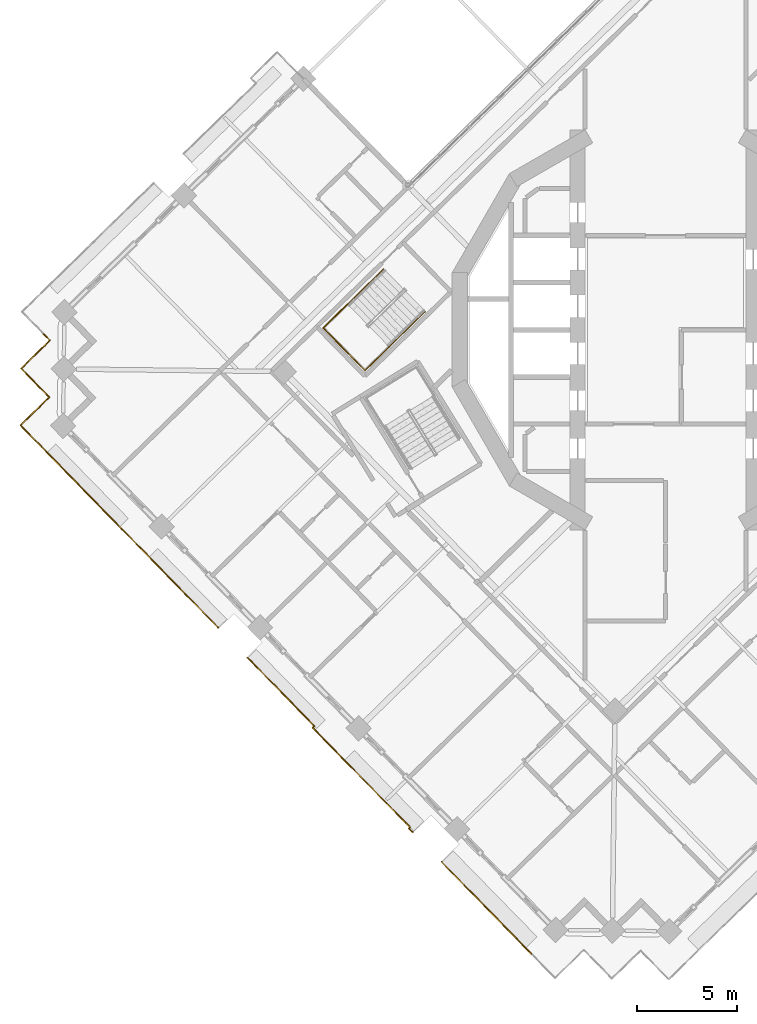
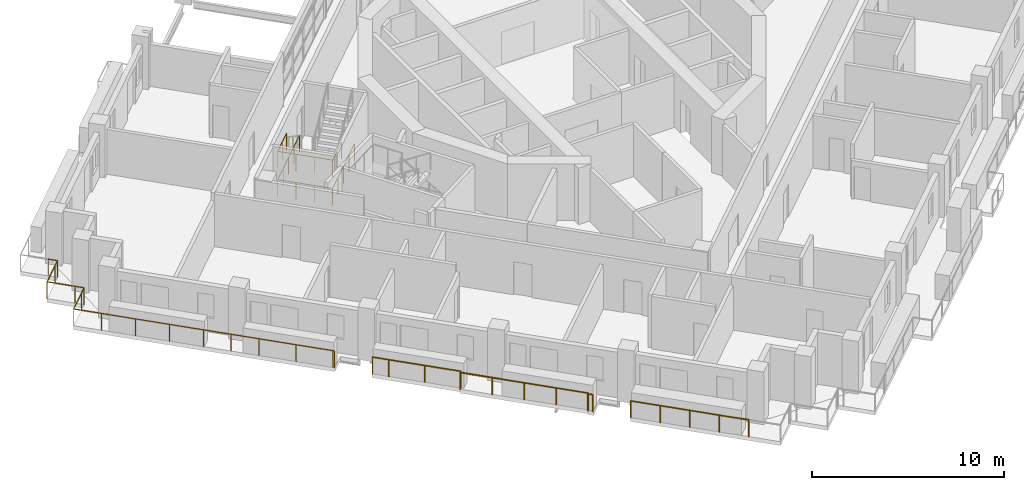
# One storey, part 13 of 18: 5 railings.
"""IFC4 building model written with IfcOpenShell, lengths in metres."""

from ifc_helpers import new_model, si_unit, direction, frame, origin, origin_2d, place, context, subcontext, project, spatial, circle, extrude, material, type_object, element, save


model = new_model("IFC4")

# Units and contexts
model_context = context("Model", 3, precision=1e-05, world=origin(), true_north=direction((0.0, 1.0)))
body_context = subcontext(model_context, "Body", "Model", "MODEL_VIEW")
ifc_project = project(units=[si_unit("LENGTHUNIT", "METRE"), si_unit("AREAUNIT", "SQUARE_METRE"), si_unit("VOLUMEUNIT", "CUBIC_METRE"), si_unit("PLANEANGLEUNIT", "RADIAN"), si_unit("MASSUNIT", "GRAM", prefix="KILO")], contexts=[model_context])

# Site, building, storey
site_placement = place(None, origin())
site = spatial("IfcSite", under=ifc_project, at=site_placement, CompositionType="ELEMENT")
building_placement = place(site_placement, origin())
building = spatial("IfcBuilding", under=site, at=building_placement, Name="Cantera Rosa Tower", CompositionType="ELEMENT")
storey_placement = place(building_placement, frame((0.0, 0.0, 219.800048828125)))
storey = spatial("IfcBuildingStorey", under=building, at=storey_placement, Name="L47", CompositionType="ELEMENT", Elevation=219.800048828125)

# Railings
ifc_material_1 = material(Name="Stainless steel and laminated glass", Category="steel")
railing_type_1 = type_object("IfcRailingType", Name="GUARD 1100", PredefinedType="BALUSTRADE", material=ifc_material_1)
railing_1_placement = place(storey_placement, frame((-6.690673828125, -31.072265625, 0.0)))
element("IfcRailing", 1, at=railing_1_placement, inside=storey, type_object=railing_type_1, Name="GUARD L47-1", PredefinedType="BALUSTRADE", context=body_context, shape_type="SweptSolid", body=[
    extrude(circle(Radius=0.030029296875, at=origin_2d()), frame((0.0, 0.0, 1.070068359375), z_axis=(-0.698825008445, 0.715292672668, 0.0), x_axis=(-0.715292672668, -0.698825008445, 0.0)), (0.0, 0.0, 1.0), 6.389892578125),
    extrude(circle(Radius=0.02490234375, at=origin_2d()), origin(), (0.0, 0.0, 1.0), 1.0400390625),
    extrude(circle(Radius=0.02490234375, at=origin_2d()), frame((-1.1162109375, 1.142578125, 0.0)), (0.0, 0.0, 1.0), 1.0400390625),
    extrude(circle(Radius=0.02490234375, at=origin_2d()), frame((-2.232666015625, 2.28515625, 0.0)), (0.0, 0.0, 1.0), 1.0400390625),
    extrude(circle(Radius=0.02490234375, at=origin_2d()), frame((-3.34912109375, 3.427978515625, 0.0)), (0.0, 0.0, 1.0), 1.0400390625),
    extrude(circle(Radius=0.02490234375, at=origin_2d()), frame((-4.46533203125, 4.570556640625, 0.0)), (0.0, 0.0, 1.0), 1.0400390625),
])
railing_2_placement = place(storey_placement, frame((-12.595703125, -25.028076171875, 0.0)))
element("IfcRailing", 2, at=railing_2_placement, inside=storey, type_object=railing_type_1, Name="GUARD L47-3", PredefinedType="BALUSTRADE", context=body_context, shape_type="SweptSolid", body=[
    extrude(circle(Radius=0.030029296875, at=origin_2d()), frame((0.0, 0.0, 1.070068359375), z_axis=(-0.698922436913, 0.715197474254, 0.0), x_axis=(-0.715197474254, -0.698922436913, 0.0)), (0.0, 0.0, 1.0), 0.27001953125),
    extrude(circle(Radius=0.030029296875, at=origin_2d()), frame((-0.188720703125, 0.193115234375, 1.070068359375), z_axis=(0.715817567127, 0.698287340994, 0.0), x_axis=(-0.698287340994, 0.715817567127, 0.0)), (0.0, 0.0, 1.0), 0.08349609375),
    extrude(circle(Radius=0.030029296875, at=origin_2d()), frame((-0.12890625, 0.25146484375, 1.070068359375), z_axis=(-0.698822463092, 0.715295159412, 0.0), x_axis=(-0.715295159412, -0.698822463092, 0.0)), (0.0, 0.0, 1.0), 6.936279296875),
    extrude(circle(Radius=0.030029296875, at=origin_2d()), frame((-4.97607421875, 5.212890625, 1.070068359375), z_axis=(0.715449344279, 0.698664608929, 0.0), x_axis=(-0.698664608929, 0.715449344279, 0.0)), (0.0, 0.0, 1.0), 0.116455078125),
    extrude(circle(Radius=0.030029296875, at=origin_2d()), frame((-4.892822265625, 5.294189453125, 1.070068359375), z_axis=(-0.698866787925, 0.715251852662, 0.0), x_axis=(-0.715251852662, -0.698866787925, 0.0)), (0.0, 0.0, 1.0), 3.90380859375),
    extrude(circle(Radius=0.030029296875, at=origin_2d()), frame((-7.62109375, 8.08642578125, 1.070068359375), z_axis=(-0.698779602308, 0.715337030636, 0.0), x_axis=(-0.715337030636, -0.698779602308, 0.0)), (0.0, 0.0, 1.0), 0.869873046875),
    extrude(circle(Radius=0.02490234375, at=origin_2d()), origin(), (0.0, 0.0, 1.0), 1.0400390625),
    extrude(circle(Radius=0.02490234375, at=origin_2d()), frame((-0.188720703125, 0.193115234375, 0.0)), (0.0, 0.0, 1.0), 1.0400390625),
    extrude(circle(Radius=0.02490234375, at=origin_2d()), frame((-0.12890625, 0.25146484375, 0.0)), (0.0, 0.0, 1.0), 1.0400390625),
    extrude(circle(Radius=0.02490234375, at=origin_2d()), frame((-1.3408203125, 1.49169921875, 0.0)), (0.0, 0.0, 1.0), 1.0400390625),
    extrude(circle(Radius=0.02490234375, at=origin_2d()), frame((-2.552490234375, 2.732177734375, 0.0)), (0.0, 0.0, 1.0), 1.0400390625),
    extrude(circle(Radius=0.02490234375, at=origin_2d()), frame((-3.76416015625, 3.97265625, 0.0)), (0.0, 0.0, 1.0), 1.0400390625),
    extrude(circle(Radius=0.02490234375, at=origin_2d()), frame((-4.97607421875, 5.212890625, 0.0)), (0.0, 0.0, 1.0), 1.0400390625),
    extrude(circle(Radius=0.02490234375, at=origin_2d()), frame((-4.892822265625, 5.294189453125, 0.0)), (0.0, 0.0, 1.0), 1.0400390625),
    extrude(circle(Radius=0.02490234375, at=origin_2d()), frame((-6.2568359375, 6.6904296875, 0.0)), (0.0, 0.0, 1.0), 1.0400390625),
    extrude(circle(Radius=0.02490234375, at=origin_2d()), frame((-7.62109375, 8.08642578125, 0.0)), (0.0, 0.0, 1.0), 1.0400390625),
    extrude(circle(Radius=0.02490234375, at=origin_2d()), frame((-8.22900390625, 8.708740234375, 0.0)), (0.0, 0.0, 1.0), 1.0400390625),
])
railing_3_placement = place(storey_placement, frame((-22.26416015625, -14.845703125, 0.0)))
element("IfcRailing", 3, at=railing_3_placement, inside=storey, type_object=railing_type_1, Name="GUARD L47-5", PredefinedType="BALUSTRADE", context=body_context, shape_type="SweptSolid", body=[
    extrude(circle(Radius=0.030029296875, at=origin_2d()), frame((0.0, 0.0, 1.070068359375), z_axis=(-0.700106234421, 0.714038696798, 0.0), x_axis=(-0.714038696798, -0.700106234421, 0.0)), (0.0, 0.0, 1.0), 0.070068359375),
    extrude(circle(Radius=0.030029296875, at=origin_2d()), frame((-0.049072265625, 0.050048828125, 1.070068359375), z_axis=(-0.698829866575, 0.715287926351, 0.0), x_axis=(-0.715287926351, -0.698829866575, 0.0)), (0.0, 0.0, 1.0), 4.02001953125),
    extrude(circle(Radius=0.030029296875, at=origin_2d()), frame((-2.8583984375, 2.925537109375, 1.070068359375), z_axis=(-0.698839281014, 0.715278728407, 0.0), x_axis=(-0.715278728407, -0.698839281014, 0.0)), (0.0, 0.0, 1.0), 3.0),
    extrude(circle(Radius=0.030029296875, at=origin_2d()), frame((-4.954833984375, 5.0712890625, 1.070068359375), z_axis=(-0.698810055914, 0.715307280652, 0.0), x_axis=(-0.715307280652, -0.698810055914, 0.0)), (0.0, 0.0, 1.0), 5.52001953125),
    extrude(circle(Radius=0.030029296875, at=origin_2d()), frame((-8.812255859375, 9.019775390625, 1.070068359375), z_axis=(-0.698921594874, 0.71519829713, 0.0), x_axis=(-0.71519829713, -0.698921594874, 0.0)), (0.0, 0.0, 1.0), 1.5),
    extrude(circle(Radius=0.030029296875, at=origin_2d()), frame((-9.860595703125, 10.092529296875, 1.070068359375), z_axis=(0.715277793538, 0.698840237873, 0.0), x_axis=(-0.698840237873, 0.715277793538, 0.0)), (0.0, 0.0, 1.0), 1.5),
    extrude(circle(Radius=0.030029296875, at=origin_2d()), frame((-8.78759765625, 11.140869140625, 1.070068359375), z_axis=(0.715359149995, 0.698756958118, 0.0), x_axis=(-0.698756958118, 0.715359149995, 0.0)), (0.0, 0.0, 1.0), 0.5),
    extrude(circle(Radius=0.030029296875, at=origin_2d()), frame((-8.429931640625, 11.490234375, 1.070068359375), z_axis=(-0.699006712162, 0.715115107065, 0.0), x_axis=(-0.715115107065, -0.699006712162, 0.0)), (0.0, 0.0, 1.0), 0.500244140625),
    extrude(circle(Radius=0.030029296875, at=origin_2d()), frame((-8.779541015625, 11.847900390625, 1.070068359375), z_axis=(-0.698756958118, 0.715359149995, 0.0), x_axis=(-0.715359149995, -0.698756958118, 0.0)), (0.0, 0.0, 1.0), 1.5),
    extrude(circle(Radius=0.030029296875, at=origin_2d()), frame((-9.82763671875, 12.9208984375, 1.070068359375), z_axis=(0.71519829713, 0.698921594874, 0.0), x_axis=(-0.698921594874, 0.71519829713, 0.0)), (0.0, 0.0, 1.0), 1.5),
    extrude(circle(Radius=0.030029296875, at=origin_2d()), frame((-8.7548828125, 13.96923828125, 1.070068359375), z_axis=(0.715359149995, 0.698756958118, 0.0), x_axis=(-0.698756958118, 0.715359149995, 0.0)), (0.0, 0.0, 1.0), 0.5),
    extrude(circle(Radius=0.030029296875, at=origin_2d()), frame((-8.397216796875, 14.318603515625, 1.070068359375), z_axis=(-0.698756958118, 0.715359149995, 0.0), x_axis=(-0.715359149995, -0.698756958118, 0.0)), (0.0, 0.0, 1.0), 0.5),
    extrude(circle(Radius=0.02490234375, at=origin_2d()), origin(), (0.0, 0.0, 1.0), 1.0400390625),
    extrude(circle(Radius=0.02490234375, at=origin_2d()), frame((-0.049072265625, 0.050048828125, 0.0)), (0.0, 0.0, 1.0), 1.0400390625),
    extrude(circle(Radius=0.02490234375, at=origin_2d()), frame((-1.45361328125, 1.48779296875, 0.0)), (0.0, 0.0, 1.0), 1.0400390625),
    extrude(circle(Radius=0.02490234375, at=origin_2d()), frame((-2.8583984375, 2.925537109375, 0.0)), (0.0, 0.0, 1.0), 1.0400390625),
    extrude(circle(Radius=0.02490234375, at=origin_2d()), frame((-3.90673828125, 3.99853515625, 0.0)), (0.0, 0.0, 1.0), 1.0400390625),
    extrude(circle(Radius=0.02490234375, at=origin_2d()), frame((-4.954833984375, 5.0712890625, 0.0)), (0.0, 0.0, 1.0), 1.0400390625),
    extrude(circle(Radius=0.02490234375, at=origin_2d()), frame((-6.24072265625, 6.387451171875, 0.0)), (0.0, 0.0, 1.0), 1.0400390625),
    extrude(circle(Radius=0.02490234375, at=origin_2d()), frame((-7.5263671875, 7.70361328125, 0.0)), (0.0, 0.0, 1.0), 1.0400390625),
    extrude(circle(Radius=0.02490234375, at=origin_2d()), frame((-8.812255859375, 9.019775390625, 0.0)), (0.0, 0.0, 1.0), 1.0400390625),
    extrude(circle(Radius=0.02490234375, at=origin_2d()), frame((-9.860595703125, 10.092529296875, 0.0)), (0.0, 0.0, 1.0), 1.0400390625),
    extrude(circle(Radius=0.02490234375, at=origin_2d()), frame((-8.78759765625, 11.140869140625, 0.0)), (0.0, 0.0, 1.0), 1.0400390625),
    extrude(circle(Radius=0.02490234375, at=origin_2d()), frame((-8.429931640625, 11.490234375, 0.0)), (0.0, 0.0, 1.0), 1.0400390625),
    extrude(circle(Radius=0.02490234375, at=origin_2d()), frame((-8.779541015625, 11.847900390625, 0.0)), (0.0, 0.0, 1.0), 1.0400390625),
    extrude(circle(Radius=0.02490234375, at=origin_2d()), frame((-9.82763671875, 12.9208984375, 0.0)), (0.0, 0.0, 1.0), 1.0400390625),
    extrude(circle(Radius=0.02490234375, at=origin_2d()), frame((-8.7548828125, 13.96923828125, 0.0)), (0.0, 0.0, 1.0), 1.0400390625),
    extrude(circle(Radius=0.02490234375, at=origin_2d()), frame((-8.397216796875, 14.318603515625, 0.0)), (0.0, 0.0, 1.0), 1.0400390625),
    extrude(circle(Radius=0.02490234375, at=origin_2d()), frame((-8.74658203125, 14.67626953125, 0.0)), (0.0, 0.0, 1.0), 1.0400390625),
])
ifc_material_2 = material(Name="Steel S355J2 (EN 10025-2)", Category="steel")
railing_type_2 = type_object("IfcRailingType", Name="STAIR GUARD 1100", PredefinedType="GUARDRAIL", material=ifc_material_2)
railing_4_placement = place(storey_placement, frame((-14.044921875, 3.0322265625, 0.0)))
element("IfcRailing", 4, at=railing_4_placement, inside=storey, type_object=railing_type_2, Name="L47 ST-43 stair guard 4", PredefinedType="GUARDRAIL", context=body_context, shape_type="SweptSolid", body=[
    extrude(circle(Radius=0.02392578125, at=origin_2d()), frame((0.0, 0.0, 1.076171875), z_axis=(-0.715259213566, -0.698859254364, 0.0), x_axis=(0.698859254364, -0.715259213566, 0.0)), (0.0, 0.0, 1.0), 4.197998046875),
    extrude(circle(Radius=0.02392578125, at=origin_2d()), frame((-3.002685546875, -2.933837890625, 1.076171875), z_axis=(0.698838333505, -0.715279654138, 0.0), x_axis=(0.715279654138, 0.698838333505, 0.0)), (0.0, 0.0, 1.0), 2.9697265625),
    extrude(circle(Radius=0.02392578125, at=origin_2d()), frame((-0.92724609375, -5.05810546875, 1.076171875), z_axis=(0.715288284249, 0.698829500247, 0.0), x_axis=(-0.698829500247, 0.715288284249, 0.0)), (0.0, 0.0, 1.0), 4.19775390625),
    extrude(circle(Radius=0.02099609375, at=origin_2d()), origin(), (0.0, 0.0, 1.0), 1.052001953125),
    extrude(circle(Radius=0.02099609375, at=origin_2d()), frame((-0.750732421875, -0.7333984375, 0.0)), (0.0, 0.0, 1.0), 1.052001953125),
    extrude(circle(Radius=0.02099609375, at=origin_2d()), frame((-1.50146484375, -1.466796875, 0.0)), (0.0, 0.0, 1.0), 1.052001953125),
    extrude(circle(Radius=0.02099609375, at=origin_2d()), frame((-2.251953125, -2.200439453125, 0.0)), (0.0, 0.0, 1.0), 1.052001953125),
    extrude(circle(Radius=0.02099609375, at=origin_2d()), frame((-3.002685546875, -2.933837890625, 0.0)), (0.0, 0.0, 1.0), 1.052001953125),
    extrude(circle(Radius=0.02099609375, at=origin_2d()), frame((-2.310791015625, -3.641845703125, 0.0)), (0.0, 0.0, 1.0), 1.052001953125),
    extrude(circle(Radius=0.02099609375, at=origin_2d()), frame((-1.619140625, -4.35009765625, 0.0)), (0.0, 0.0, 1.0), 1.052001953125),
    extrude(circle(Radius=0.02099609375, at=origin_2d()), frame((-0.92724609375, -5.05810546875, 0.0)), (0.0, 0.0, 1.0), 1.052001953125),
    extrude(circle(Radius=0.02099609375, at=origin_2d()), frame((-0.176513671875, -4.32470703125, 0.0)), (0.0, 0.0, 1.0), 1.052001953125),
    extrude(circle(Radius=0.02099609375, at=origin_2d()), frame((0.57421875, -3.59130859375, 0.0)), (0.0, 0.0, 1.0), 1.052001953125),
    extrude(circle(Radius=0.02099609375, at=origin_2d()), frame((1.32470703125, -2.85791015625, 0.0)), (0.0, 0.0, 1.0), 1.052001953125),
    extrude(circle(Radius=0.02099609375, at=origin_2d()), frame((2.075439453125, -2.12451171875, 0.0)), (0.0, 0.0, 1.0), 1.052001953125),
])
railing_5_placement = place(storey_placement, frame((-15.830322265625, 1.287841796875, 1.800048828125)))
element("IfcRailing", 5, at=railing_5_placement, inside=storey, type_object=railing_type_2, Name="L47 ST-43 stair guard 5", PredefinedType="GUARDRAIL", context=body_context, shape_type="SweptSolid", body=[
    extrude(circle(Radius=0.02392578125, at=origin_2d()), frame((0.0, 0.0, 1.076171875), z_axis=(-0.715236090757, -0.698882919007, 0.0), x_axis=(0.698882919007, -0.715236090757, 0.0)), (0.0, 0.0, 1.0), 1.701904296875),
    extrude(circle(Radius=0.02392578125, at=origin_2d()), frame((-1.21728515625, -1.189453125, 1.076171875), z_axis=(0.698838333505, -0.715279654138, 0.0), x_axis=(0.715279654138, 0.698838333505, 0.0)), (0.0, 0.0, 1.0), 2.9697265625),
    extrude(circle(Radius=0.02392578125, at=origin_2d()), frame((0.858154296875, -3.313720703125, 1.076171875), z_axis=(0.715236090757, 0.698882919007, 0.0), x_axis=(-0.698882919007, 0.715236090757, 0.0)), (0.0, 0.0, 1.0), 1.701904296875),
    extrude(circle(Radius=0.02099609375, at=origin_2d()), origin(), (0.0, 0.0, 1.0), 1.052001953125),
    extrude(circle(Radius=0.02099609375, at=origin_2d()), frame((-0.608642578125, -0.5947265625, 0.0)), (0.0, 0.0, 1.0), 1.052001953125),
    extrude(circle(Radius=0.02099609375, at=origin_2d()), frame((-1.21728515625, -1.189453125, 0.0)), (0.0, 0.0, 1.0), 1.052001953125),
    extrude(circle(Radius=0.02099609375, at=origin_2d()), frame((-0.525390625, -1.8974609375, 0.0)), (0.0, 0.0, 1.0), 1.052001953125),
    extrude(circle(Radius=0.02099609375, at=origin_2d()), frame((0.166259765625, -2.605712890625, 0.0)), (0.0, 0.0, 1.0), 1.052001953125),
    extrude(circle(Radius=0.02099609375, at=origin_2d()), frame((0.858154296875, -3.313720703125, 0.0)), (0.0, 0.0, 1.0), 1.052001953125),
    extrude(circle(Radius=0.02099609375, at=origin_2d()), frame((1.466796875, -2.718994140625, 0.0)), (0.0, 0.0, 1.0), 1.052001953125),
    extrude(circle(Radius=0.02099609375, at=origin_2d()), frame((2.075439453125, -2.124267578125, 0.0)), (0.0, 0.0, 1.0), 1.052001953125),
])

save(model, "model.ifc")
